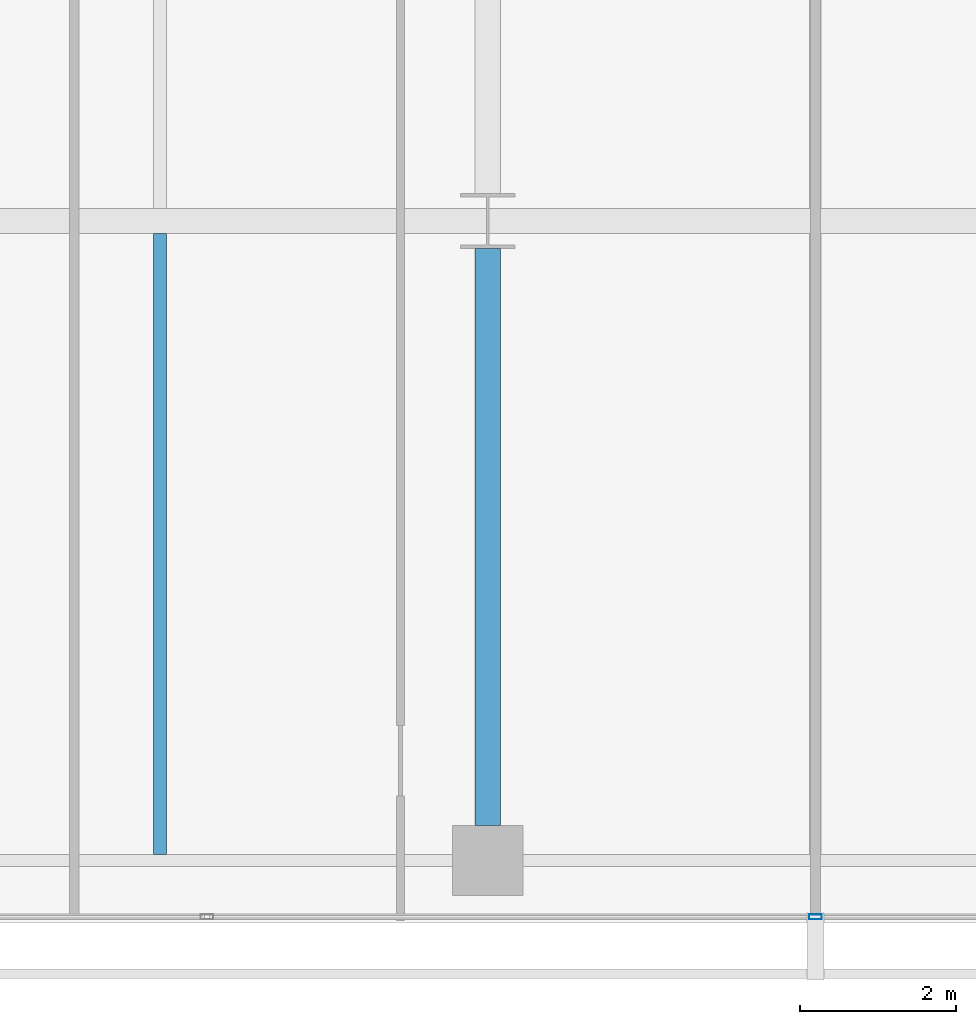
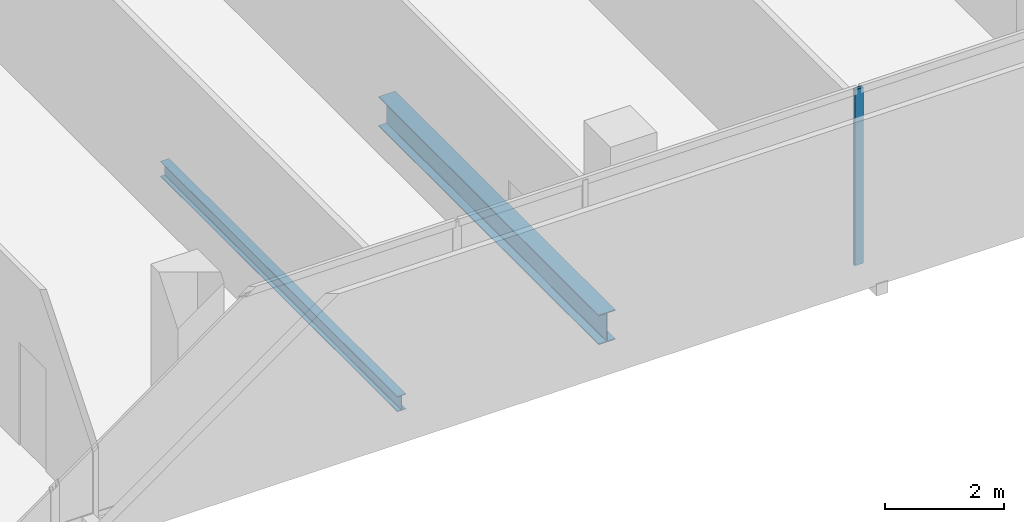
# One storey, part 8 of 40: 2 beams, 1 member, 1 element without a shape of its own.
"""IFC4 building model written with IfcOpenShell, lengths in metres."""

from ifc_helpers import new_model, si_unit, direction, frame, origin, origin_2d, place, context, subcontext, project, spatial, hollow_rectangle, i_section, extrude, material, layer, layer_set, material_profile, profile_set, type_object, element, aggregate, save


model = new_model("IFC4")

# Units and contexts
model_context = context("Model", 3, precision=1e-05, world=origin(), true_north=direction((0.0, 1.0)))
body_context = subcontext(model_context, "Body", "Model", "MODEL_VIEW")
ifc_project = project(units=[si_unit("LENGTHUNIT", "METRE"), si_unit("AREAUNIT", "SQUARE_METRE"), si_unit("VOLUMEUNIT", "CUBIC_METRE"), si_unit("PLANEANGLEUNIT", "RADIAN"), si_unit("MASSUNIT", "GRAM", prefix="KILO")], contexts=[model_context])

# Site, building, storey
site_placement = place(None, origin())
site = spatial("IfcSite", under=ifc_project, at=site_placement, CompositionType="ELEMENT")
building_placement = place(site_placement, origin())
building = spatial("IfcBuilding", under=site, at=building_placement, Name="Maruvema Waterfront Hotel and Observation Tower", CompositionType="ELEMENT")
storey_placement = place(building_placement, frame((0.0, 0.0, 100.10009765625)))
storey = spatial("IfcBuildingStorey", under=building, at=storey_placement, Name="L24", CompositionType="ELEMENT", Elevation=100.10009765625)

# Curtain wall, member
ifc_material_1 = material(Name="Anodised bronze aluminium and solar-control low-E IGU", Category="aluminium")
ifc_layer = layer(ifc_material_1, 0.159912109375, Name="Zone 1 Bronze Inner Thermal Curtain Wall System CW-02")
ifc_layer_set = layer_set([ifc_layer], Name="Anodised bronze aluminium and solar-control low-E IGU")
curtain_wall_type = type_object("IfcCurtainWallType", Name="Zone 1 Bronze Inner Thermal Curtain Wall System CW-02", PredefinedType="USERDEFINED", material=ifc_layer_set)
curtain_wall_placement = place(storey_placement, origin())
curtain_wall = element("IfcCurtainWall", 1, at=curtain_wall_placement, inside=storey, type_object=curtain_wall_type, Name="L24 Curtain Wall CW-L24-S", ObjectType="UNITISED CURTAIN WALL", PredefinedType="USERDEFINED")
ifc_material_2 = material(Name="Anodised architectural bronze aluminium", Category="aluminium")
ifc_material_profile_1 = material_profile(ifc_material_2, hollow_rectangle(XDim=0.06494140625, YDim=0.1650390625, WallThickness=0.00390625, at=origin_2d()), Name="ALU-M65x165")
ifc_profile_set_1 = profile_set([ifc_material_profile_1], Name="Anodised architectural bronze aluminium")
member_type = type_object("IfcMemberType", Name="Curtain Wall Primary Mullion ALU-M65x165", PredefinedType="MULLION", material=ifc_profile_set_1)
member_placement = place(storey_placement, frame((37.800048828125, 0.080078125, 0.0), z_axis=(0.0, 0.0, 1.0), x_axis=(0.0, 1.0, 0.0)))
member = element("IfcMember", 2, at=member_placement, type_object=member_type, Name="CW-02 mullion 4", PredefinedType="MULLION", context=body_context, shape_type="SweptSolid", body=[
    extrude(hollow_rectangle(XDim=0.06494140625, YDim=0.1650390625, WallThickness=0.00390625, at=origin_2d()), origin(), (0.0, 0.0, 1.0), 3.60986328125),
])
aggregate(curtain_wall, [member])

# Beams
ifc_material_3 = material(Name="Steel ASTM A572 Grade 50", Category="steel")
ifc_material_profile_2 = material_profile(ifc_material_3, i_section(OverallWidth=0.323974609375, OverallDepth=0.611083984375, WebThickness=0.0126953125, FlangeThickness=0.01904296875, FilletRadius=0.01806640625, at=origin_2d()), Name="W610x155.0")
ifc_profile_set_2 = profile_set([ifc_material_profile_2], Name="Steel ASTM A572 Grade 50")
beam_type_1 = type_object("IfcBeamType", Name="Primary Floor Girder W610x155.0", PredefinedType="BEAM", material=ifc_profile_set_2)
beam_1_placement = place(storey_placement, frame((33.60009765625, 1.25, -0.545654296875), z_axis=(0.0, 1.0, 0.0), x_axis=(-1.0, 0.0, 0.0)))
element("IfcBeam", 3, at=beam_1_placement, inside=storey, type_object=beam_type_1, Name="L24 Floor Girder NS-16", PredefinedType="BEAM", context=body_context, shape_type="SweptSolid", body=[
    extrude(i_section(OverallWidth=0.323974609375, OverallDepth=0.611083984375, WebThickness=0.0126953125, FlangeThickness=0.01904296875, FilletRadius=0.01806640625, at=origin_2d()), origin(), (0.0, 0.0, 1.0), 7.39990234375),
])
ifc_material_4 = material(Name="Steel ASTM A572 Grade 50", Category="steel")
ifc_material_profile_3 = material_profile(ifc_material_4, i_section(OverallWidth=0.1669921875, OverallDepth=0.31689453125, WebThickness=0.007568359375, FlangeThickness=0.01318359375, FilletRadius=0.012939453125, at=origin_2d()), Name="W310x52.0")
ifc_profile_set_3 = profile_set([ifc_material_profile_3], Name="Steel ASTM A572 Grade 50")
beam_type_2 = type_object("IfcBeamType", Name="Secondary Floor Joist W310x52.0", PredefinedType="JOIST", material=ifc_profile_set_3)
beam_2_placement = place(storey_placement, frame((29.39990234375, 0.87646484375, -0.398681640625), z_axis=(0.0, 1.0, 0.0), x_axis=(-1.0, 0.0, 0.0)))
element("IfcBeam", 4, at=beam_2_placement, inside=storey, type_object=beam_type_2, Name="L24 Secondary Floor Joist JS-10", PredefinedType="JOIST", context=body_context, shape_type="SweptSolid", body=[
    extrude(i_section(OverallWidth=0.1669921875, OverallDepth=0.31689453125, WebThickness=0.007568359375, FlangeThickness=0.01318359375, FilletRadius=0.012939453125, at=origin_2d()), origin(), (0.0, 0.0, 1.0), 7.96142578125),
])

save(model, "model.ifc")
